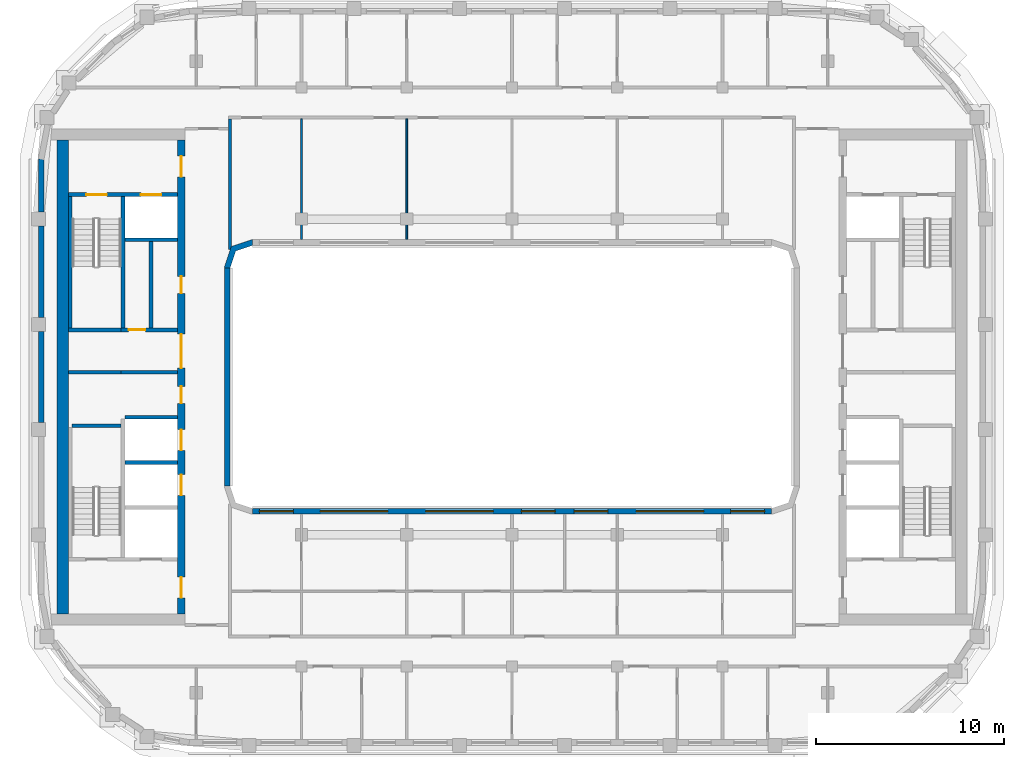
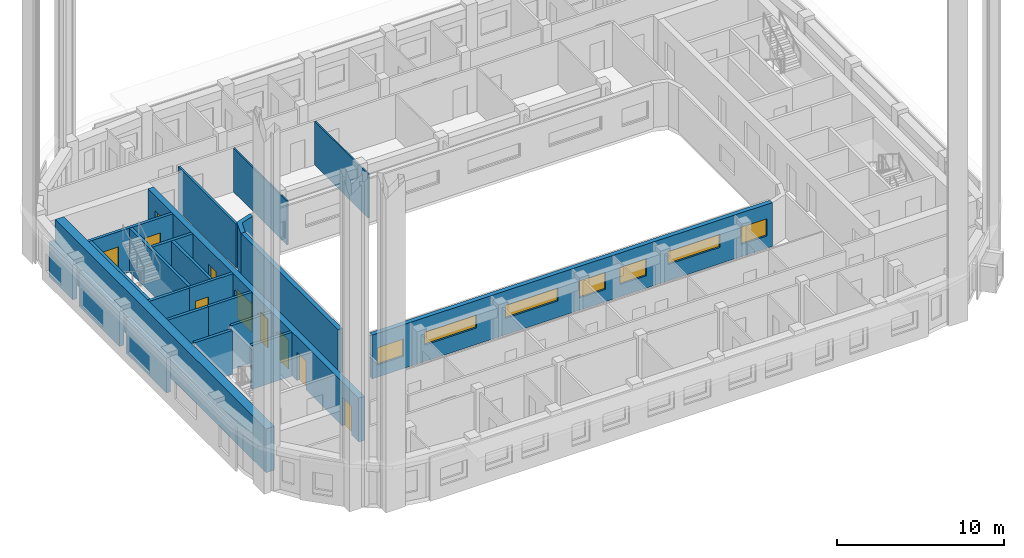
# One storey, part 4 of 15: 23 walls, 10 doors, 7 windows, 17 openings.
"""IFC4 building model written with IfcOpenShell, lengths in metres."""

import ifcopenshell
import ifcopenshell.guid

model = None  # the IFC model being written
_history = None  # IfcOwnerHistory: only IFC2X3 demands one
_inside = {}  # id of a spatial element -> (the spatial element, [elements in it])
_under = {}  # id of a project, library or spatial element -> (it, [spatial elements below it])
_declared = {}  # id of a project -> (the project, [libraries it declares])
_typed = {}  # id of a type object -> (the type object, [elements of that type])
_made_of = {}  # id of a material, layer set ... -> (it, [elements and type objects made of it])


def new_model(schema):
    """Start an empty IFC model of exactly this schema.

    Asked for "IFC4X3", IfcOpenShell would pick the latest addendum, in which some entities
    have other attributes; the version numbers below select the first issue.
    IFC2X3 requires an IfcOwnerHistory on every rooted entity: one is made here for all.
    """
    global model, _history
    if schema == "IFC4X3":
        model = ifcopenshell.file(schema_version=(4, 3, 0, 0))
    else:
        model = ifcopenshell.file(schema=schema)
    _inside.clear()
    _under.clear()
    _declared.clear()
    _typed.clear()
    _made_of.clear()
    _history = None
    if model.schema == "IFC2X3":
        org = make("IfcOrganization", Name="unknown")
        user = make(
            "IfcPersonAndOrganization",
            ThePerson=make("IfcPerson", FamilyName="unknown"),
            TheOrganization=org,
        )
        app = make(
            "IfcApplication",
            ApplicationDeveloper=org,
            Version="unknown",
            ApplicationFullName="unknown",
            ApplicationIdentifier="unknown",
        )
        _history = make(
            "IfcOwnerHistory",
            OwningUser=user,
            OwningApplication=app,
            ChangeAction="ADDED",
            CreationDate=0,
        )
    return model


def make(cls, **values):
    """One entity of the class cls with the attributes given. An attribute that is None is left unset."""
    return model.create_entity(
        cls, **{name: value for name, value in values.items() if value is not None}
    )


def rooted(cls, **values):
    """An entity with a GlobalId (a new one), such as an element, a storey or a relation."""
    return make(cls, GlobalId=ifcopenshell.guid.new(), OwnerHistory=_history, **values)


def si_unit(unit_type, name, prefix=None):
    """IfcSIUnit, for example si_unit("LENGTHUNIT", "METRE", prefix="MILLI")."""
    return make("IfcSIUnit", UnitType=unit_type, Prefix=prefix, Name=name)


def assignment(units):
    """IfcUnitAssignment: the units of a project."""
    return None if units is None else make("IfcUnitAssignment", Units=units)


def point(xyz):
    """IfcCartesianPoint."""
    return None if xyz is None else make("IfcCartesianPoint", Coordinates=xyz)


def direction(xyz):
    """IfcDirection."""
    return None if xyz is None else make("IfcDirection", DirectionRatios=xyz)


def frame(location, z_axis=None, x_axis=None):
    """IfcAxis2Placement3D, a coordinate frame: its origin and axes. An axis left out is left unset."""
    return make(
        "IfcAxis2Placement3D",
        Location=point(location),
        Axis=direction(z_axis),
        RefDirection=direction(x_axis),
    )


def frame_2d(location, x_axis=None):
    """IfcAxis2Placement2D, a coordinate frame in the plane: its origin and x axis."""
    return make(
        "IfcAxis2Placement2D", Location=point(location), RefDirection=direction(x_axis)
    )


def origin():
    """The frame at (0, 0, 0) with its axes left unset."""
    return frame((0.0, 0.0, 0.0))


def place(relative_to, where):
    """IfcLocalPlacement: puts the frame where relative to a parent placement (None: the world)."""
    return make(
        "IfcLocalPlacement", PlacementRelTo=relative_to, RelativePlacement=where
    )


def context(
    kind, dimensions, precision=None, world=None, true_north=None, identifier=None
):
    """IfcGeometricRepresentationContext, for example the 3D "Model" context."""
    return make(
        "IfcGeometricRepresentationContext",
        ContextIdentifier=identifier,
        ContextType=kind,
        CoordinateSpaceDimension=dimensions,
        Precision=precision,
        WorldCoordinateSystem=world,
        TrueNorth=true_north,
    )


def subcontext(parent, identifier, kind, view, scale=None):
    """IfcGeometricRepresentationSubContext, for example "Body" below "Model"."""
    return make(
        "IfcGeometricRepresentationSubContext",
        ContextIdentifier=identifier,
        ContextType=kind,
        ParentContext=parent,
        TargetScale=scale,
        TargetView=view,
    )


def project(units=None, contexts=None):
    """IfcProject with its units and contexts."""
    return rooted(
        "IfcProject",
        Name="project",
        RepresentationContexts=contexts,
        UnitsInContext=assignment(units),
    )


def spatial(cls, under=None, at=None, **own):
    """A site, building, storey or space (cls), placed at a placement, below another one or the project."""
    s = rooted(cls, ObjectPlacement=at, **own)
    if under is not None:
        _under.setdefault(under.id(), (under, []))[1].append(s)
    return s


def polyline(points):
    """IfcPolyline through the points."""
    return make("IfcPolyline", Points=[point(p) for p in points])


def profile(cls, at=None, kind="AREA", **sizes):
    """A parametric profile (cls). Its sizes go by their IFC names, for example OverallWidth=200.0."""
    return make(cls, ProfileType=kind, Position=at, **sizes)


def rectangle(**sizes):
    """IfcRectangleProfileDef."""
    return profile("IfcRectangleProfileDef", **sizes)


def outline(outer, holes=None, kind="AREA"):
    """IfcArbitraryClosedProfileDef: a profile drawn as a closed curve; with holes, ...WithVoids."""
    if holes is None:
        return make("IfcArbitraryClosedProfileDef", ProfileType=kind, OuterCurve=outer)
    return make(
        "IfcArbitraryProfileDefWithVoids",
        ProfileType=kind,
        OuterCurve=outer,
        InnerCurves=holes,
    )


def extrude(swept, where, along, depth):
    """IfcExtrudedAreaSolid: the profile swept, set in the frame where, extruded along a direction by depth."""
    return make(
        "IfcExtrudedAreaSolid",
        SweptArea=swept,
        Position=where,
        ExtrudedDirection=direction(along),
        Depth=depth,
    )


def shape(context_of_items, identifier, shape_type, items):
    """IfcShapeRepresentation: the items that make up one representation, for example the "Body"."""
    return make(
        "IfcShapeRepresentation",
        ContextOfItems=context_of_items,
        RepresentationIdentifier=identifier,
        RepresentationType=shape_type,
        Items=items,
    )


def material(Name=None, Category=None):
    """IfcMaterial."""
    return make("IfcMaterial", Name=Name, Category=Category)


def layer(
    of_material, thickness, ventilated=None, Name=None, Category=None, Priority=None
):
    """IfcMaterialLayer: one layer of a wall or slab, of a material (None: an air gap)."""
    return make(
        "IfcMaterialLayer",
        Material=of_material,
        LayerThickness=thickness,
        IsVentilated=ventilated,
        Name=Name,
        Category=Category,
        Priority=Priority,
    )


def layer_set(layers, Name=None):
    """IfcMaterialLayerSet."""
    return make("IfcMaterialLayerSet", MaterialLayers=layers, LayerSetName=Name)


def made_of(thing, what):
    """Note that an element or type object is made of a material, layer set ...; save() writes the relation."""
    if what is not None:
        _made_of.setdefault(what.id(), (what, []))[1].append(thing)
    return thing


def type_object(cls, material=None, **own):
    """A type object (cls), such as IfcWallType, which elements share."""
    return made_of(rooted(cls, **own), material)


def element(
    cls,
    number,
    at=None,
    inside=None,
    cuts=None,
    type_object=None,
    material=None,
    context=None,
    identifier="Body",
    shape_type=None,
    held_by="IfcProductDefinitionShape",
    body=None,
    shapes=None,
    **own,
):
    """One element of the class cls, such as IfcWall. Its Tag is "e" and its number.

    at: its placement. inside: the storey or other place that contains it. cuts: it is an
    opening in that element (IfcRelVoidsElement). A single representation is given by context,
    identifier, shape_type and body (its items); several are given by shapes. held_by: the class
    of the entity that holds the representations. save() writes the other relations.
    """
    e = rooted(cls, Tag="e%d" % number, ObjectPlacement=at, **own)
    if body is not None:
        shapes = [shape(context, identifier, shape_type, body)]
    if shapes is not None:
        e.Representation = make(held_by, Representations=shapes)
    if inside is not None:
        _inside.setdefault(inside.id(), (inside, []))[1].append(e)
    if cuts is not None:
        rooted(
            "IfcRelVoidsElement", RelatingBuildingElement=cuts, RelatedOpeningElement=e
        )
    if type_object is not None:
        _typed.setdefault(type_object.id(), (type_object, []))[1].append(e)
    return made_of(e, material)


def fill(opening, filler):
    """IfcRelFillsElement: the door or window that sits in an opening."""
    return rooted(
        "IfcRelFillsElement",
        RelatingOpeningElement=opening,
        RelatedBuildingElement=filler,
    )


def aggregate(whole, parts):
    """IfcRelAggregates: a whole, such as a stair, and the parts it consists of."""
    return rooted("IfcRelAggregates", RelatingObject=whole, RelatedObjects=parts)


def save(model, path):
    """Write the relations noted so far, then the file.

    IfcRelAggregates (storeys below a building ...), IfcRelContainedInSpatialStructure (elements
    in a storey), IfcRelDefinesByType, IfcRelAssociatesMaterial and IfcRelDeclares: one each for
    every whole, place, type object, material and project.
    """
    for whole, parts in _under.values():
        aggregate(whole, parts)
    for where, things in _inside.values():
        rooted(
            "IfcRelContainedInSpatialStructure",
            RelatedElements=things,
            RelatingStructure=where,
        )
    for kind, things in _typed.values():
        rooted("IfcRelDefinesByType", RelatedObjects=things, RelatingType=kind)
    for what, things in _made_of.values():
        rooted("IfcRelAssociatesMaterial", RelatedObjects=things, RelatingMaterial=what)
    for by, libraries in _declared.values():
        rooted("IfcRelDeclares", RelatingContext=by, RelatedDefinitions=libraries)
    model.write(path)


model = new_model("IFC4")

# Units and contexts
model_context = context("Model", 3, precision=1e-05, world=origin(), true_north=direction((0.0, 1.0)))
body_context = subcontext(model_context, "Body", "Model", "MODEL_VIEW")
ifc_project = project(units=[si_unit("LENGTHUNIT", "METRE"), si_unit("AREAUNIT", "SQUARE_METRE"), si_unit("VOLUMEUNIT", "CUBIC_METRE"), si_unit("PLANEANGLEUNIT", "RADIAN"), si_unit("MASSUNIT", "GRAM", prefix="KILO")], contexts=[model_context])

# Site, building, storey
site_placement = place(None, origin())
site = spatial("IfcSite", under=ifc_project, at=site_placement, CompositionType="ELEMENT")
building_placement = place(site_placement, origin())
building = spatial("IfcBuilding", under=site, at=building_placement, Name="Kiln Ring Residences", CompositionType="ELEMENT")
storey_placement = place(building_placement, frame((0.0, 0.0, 266.199951171875)))
storey = spatial("IfcBuildingStorey", under=building, at=storey_placement, Name="L69", CompositionType="ELEMENT", Elevation=266.199951171875)

# Walls
ifc_material_1 = material(Name="Gypsum board on steel studs", Category="steel")
ifc_layer_1 = layer(ifc_material_1, 0.199951171875)
ifc_layer_set_1 = layer_set([ifc_layer_1], Name="CORE-PARTITION-200")
wall_type_1 = type_object("IfcWallType", Name="CORE-PARTITION-200", PredefinedType="PARTITIONING", material=ifc_layer_set_1)
wall_1_placement = place(storey_placement, frame((-20.800048828125, 0.25, 0.0), z_axis=(0.0, 0.0, 1.0), x_axis=(-1.0, 0.0, 0.0)))
element("IfcWall", 1, at=wall_1_placement, inside=storey, type_object=wall_type_1, Name="Core partition west L69 1", PredefinedType="PARTITIONING", context=body_context, shape_type="SweptSolid", body=[
    extrude(rectangle(XDim=2.800048828125, YDim=0.199951171875, at=frame_2d((1.39990234375, 0.0))), origin(), (0.0, 0.0, 1.0), 3.199951171875),
])
wall_2_placement = place(storey_placement, frame((-19.199951171875, 2.60009765625, 0.0), z_axis=(0.0, 0.0, 1.0), x_axis=(0.0, 1.0, 0.0)))
element("IfcWall", 2, at=wall_2_placement, inside=storey, type_object=wall_type_1, Name="Core partition west L69 2", PredefinedType="PARTITIONING", context=body_context, shape_type="SweptSolid", body=[
    extrude(rectangle(XDim=4.599853515625, YDim=0.199951171875, at=frame_2d((2.2998046875, 0.0))), origin(), (0.0, 0.0, 1.0), 3.199951171875),
])
ifc_material_2 = material(Name="Gypsum shaft wall system")
ifc_layer_2 = layer(ifc_material_2, 0.199951171875)
ifc_layer_set_2 = layer_set([ifc_layer_2], Name="CORE-SHAFT-WALL-200")
wall_type_2 = type_object("IfcWallType", Name="CORE-SHAFT-WALL-200", PredefinedType="PARTITIONING", material=ifc_layer_set_2)
for number, where, z_axis, x_axis, name in (
    (3, (-17.800048828125, -4.550048828125, 0.0), (0.0, 0.0, 1.0), (-1.0, 0.0, 0.0), "Core partition west L69 4"),
    (4, (-17.800048828125, -2.14990234375, 0.0), (0.0, 0.0, 1.0), (-1.0, 0.0, 0.0), "Core partition west L69 5"),
):
    element("IfcWall", number, at=place(storey_placement, frame(where, z_axis=z_axis, x_axis=x_axis)), inside=storey, type_object=wall_type_2, Name=name, PredefinedType="PARTITIONING", context=body_context, shape_type="SweptSolid", body=[
        extrude(rectangle(XDim=2.800048828125, YDim=0.199951171875, at=frame_2d((1.39990234375, 0.0))), origin(), (0.0, 0.0, 1.0), 3.199951171875),
    ])
wall_3_placement = place(storey_placement, frame((-17.800048828125, 0.25, 0.0), z_axis=(0.0, 0.0, 1.0), x_axis=(-1.0, 0.0, 0.0)))
element("IfcWall", 5, at=wall_3_placement, inside=storey, type_object=wall_type_2, Name="Core partition west L69 6", PredefinedType="PARTITIONING", context=body_context, shape_type="SweptSolid", body=[
    extrude(rectangle(XDim=3.0, YDim=0.199951171875, at=frame_2d((1.5, 0.0))), origin(), (0.0, 0.0, 1.0), 3.199951171875),
])

# Wall, opening, door
wall_4_placement = place(storey_placement, frame((-17.800048828125, 2.5, 0.0), z_axis=(0.0, 0.0, 1.0), x_axis=(-1.0, 0.0, 0.0)))
wall_4 = element("IfcWall", 6, at=wall_4_placement, inside=storey, type_object=wall_type_2, Name="Core partition west L69 7", PredefinedType="PARTITIONING", context=body_context, shape_type="SweptSolid", body=[
    extrude(rectangle(XDim=3.0, YDim=0.199951171875, at=frame_2d((1.5, 0.0))), origin(), (0.0, 0.0, 1.0), 3.199951171875),
])
opening_1_placement = place(wall_4_placement, frame((1.699951171875, 0.0, 0.0)))
opening_1 = element("IfcOpeningElement", 7, at=opening_1_placement, cuts=wall_4, Name="Opening L69-CW06", PredefinedType="OPENING", context=body_context, shape_type="SweptSolid", body=[
    extrude(rectangle(XDim=0.89990234375, YDim=2.10009765625, at=frame_2d((0.449951171875, 1.050048828125))), frame((0.0, 0.10986328125, 0.0), z_axis=(0.0, -1.0, 0.0), x_axis=(1.0, 0.0, 0.0)), (0.0, 0.0, 1.0), 0.219970703125),
])
ifc_material_3 = material(Name="Steel door leaf", Category="steel")
door_type_1 = type_object("IfcDoorType", Name="CORE-DOOR-ROOM", OperationType="SINGLE_SWING_LEFT", PredefinedType="DOOR", material=ifc_material_3)
door_1_placement = place(opening_1_placement, origin())
door_1 = element("IfcDoor", 8, at=door_1_placement, inside=storey, type_object=door_type_1, Name="Service store L69-CW06", OperationType="SINGLE_SWING_LEFT", OverallHeight=2.10009765625, OverallWidth=0.89990234375, PredefinedType="DOOR", context=body_context, shape_type="SweptSolid", body=[
    extrude(rectangle(XDim=0.89990234375, YDim=2.10009765625, at=frame_2d((0.449951171875, 1.050048828125))), frame((0.0, 0.02490234375, 0.0), z_axis=(0.0, -1.0, 0.0), x_axis=(1.0, 0.0, 0.0)), (0.0, 0.0, 1.0), 0.050048828125),
])
fill(opening_1, door_1)

# Walls
wall_5_placement = place(storey_placement, frame((-17.800048828125, 7.300048828125, 0.0), z_axis=(0.0, 0.0, 1.0), x_axis=(-1.0, 0.0, 0.0)))
element("IfcWall", 9, at=wall_5_placement, inside=storey, type_object=wall_type_2, Name="Core partition west L69 8", PredefinedType="PARTITIONING", context=body_context, shape_type="SweptSolid", body=[
    extrude(rectangle(XDim=2.800048828125, YDim=0.199951171875, at=frame_2d((1.39990234375, 0.0))), origin(), (0.0, 0.0, 1.0), 3.199951171875),
])
ifc_material_4 = material(Name="Concrete C40/50", Category="concrete")
ifc_layer_3 = layer(ifc_material_4, 0.199951171875)
ifc_layer_set_3 = layer_set([ifc_layer_3], Name="CORE-WALL-RC200")
wall_type_3 = type_object("IfcWallType", Name="CORE-WALL-RC200", PredefinedType="SHEAR", material=ifc_layer_set_3)
wall_6_placement = place(storey_placement, frame((-20.699951171875, 2.60009765625, 0.0), z_axis=(0.0, 0.0, 1.0), x_axis=(0.0, 1.0, 0.0)))
element("IfcWall", 10, at=wall_6_placement, inside=storey, type_object=wall_type_3, Name="Core wall west L69 1", PredefinedType="SHEAR", context=body_context, shape_type="SweptSolid", body=[
    extrude(rectangle(XDim=7.0, YDim=0.199951171875, at=frame_2d((3.5, 0.0))), origin(), (0.0, 0.0, 1.0), 3.199951171875),
])
wall_7_placement = place(storey_placement, frame((-20.800048828125, 2.5, 0.0), z_axis=(0.0, 0.0, 1.0), x_axis=(-1.0, 0.0, 0.0)))
element("IfcWall", 11, at=wall_7_placement, inside=storey, type_object=wall_type_3, Name="Core wall west L69 3", PredefinedType="SHEAR", context=body_context, shape_type="SweptSolid", body=[
    extrude(rectangle(XDim=2.800048828125, YDim=0.199951171875, at=frame_2d((1.39990234375, 0.0))), origin(), (0.0, 0.0, 1.0), 3.199951171875),
])

# Wall, openings, doors
wall_8_placement = place(storey_placement, frame((-17.800048828125, 9.699951171875, 0.0), z_axis=(0.0, 0.0, 1.0), x_axis=(-1.0, 0.0, 0.0)))
wall_8 = element("IfcWall", 12, at=wall_8_placement, inside=storey, type_object=wall_type_3, Name="Core wall west L69 9", PredefinedType="SHEAR", context=body_context, shape_type="SweptSolid", body=[
    extrude(rectangle(XDim=5.800048828125, YDim=0.199951171875, at=frame_2d((2.89990234375, 0.0))), origin(), (0.0, 0.0, 1.0), 3.199951171875),
])
opening_2_placement = place(wall_8_placement, frame((0.85009765625, 0.0, 0.0)))
opening_2 = element("IfcOpeningElement", 13, at=opening_2_placement, cuts=wall_8, Name="Opening L69-CW07", PredefinedType="OPENING", context=body_context, shape_type="SweptSolid", body=[
    extrude(rectangle(XDim=1.10009765625, YDim=2.10009765625, at=frame_2d((0.550048828125, 1.050048828125))), frame((0.0, 0.10986328125, 0.0), z_axis=(0.0, -1.0, 0.0), x_axis=(1.0, 0.0, 0.0)), (0.0, 0.0, 1.0), 0.219970703125),
])
opening_3_placement = place(wall_8_placement, frame((3.75, 0.0, 0.0)))
opening_3 = element("IfcOpeningElement", 14, at=opening_3_placement, cuts=wall_8, Name="Opening L69-CW10", PredefinedType="OPENING", context=body_context, shape_type="SweptSolid", body=[
    extrude(rectangle(XDim=1.10009765625, YDim=2.10009765625, at=frame_2d((0.550048828125, 1.050048828125))), frame((0.0, 0.10986328125, 0.0), z_axis=(0.0, -1.0, 0.0), x_axis=(1.0, 0.0, 0.0)), (0.0, 0.0, 1.0), 0.219970703125),
])
ifc_material_5 = material(Name="Steel door leaf", Category="steel")
door_type_2 = type_object("IfcDoorType", Name="CORE-DOOR-LD", OperationType="DOUBLE_DOOR_SLIDING", PredefinedType="DOOR", material=ifc_material_5)
door_2_placement = place(opening_2_placement, origin())
door_2 = element("IfcDoor", 15, at=door_2_placement, inside=storey, type_object=door_type_2, Name="LD W-FF L69-CW07", OperationType="DOUBLE_DOOR_SLIDING", OverallHeight=2.10009765625, OverallWidth=1.10009765625, PredefinedType="DOOR", context=body_context, shape_type="SweptSolid", body=[
    extrude(rectangle(XDim=1.10009765625, YDim=2.10009765625, at=frame_2d((0.550048828125, 1.050048828125))), frame((0.0, 0.02490234375, 0.0), z_axis=(0.0, -1.0, 0.0), x_axis=(1.0, 0.0, 0.0)), (0.0, 0.0, 1.0), 0.050048828125),
])
fill(opening_2, door_2)
ifc_material_6 = material(Name="Steel door leaf", Category="steel")
door_type_3 = type_object("IfcDoorType", Name="CORE-DOOR-STAIR", OperationType="SINGLE_SWING_LEFT", PredefinedType="DOOR", material=ifc_material_6)
door_3_placement = place(opening_3_placement, origin())
door_3 = element("IfcDoor", 16, at=door_3_placement, inside=storey, type_object=door_type_3, Name="Stair W-STN L69-CW10", OperationType="SINGLE_SWING_RIGHT", OverallHeight=2.10009765625, OverallWidth=1.10009765625, PredefinedType="DOOR", context=body_context, shape_type="SweptSolid", body=[
    extrude(rectangle(XDim=1.10009765625, YDim=2.10009765625, at=frame_2d((0.550048828125, 1.050048828125))), frame((0.0, 0.02490234375, 0.0), z_axis=(0.0, -1.0, 0.0), x_axis=(1.0, 0.0, 0.0)), (0.0, 0.0, 1.0), 0.050048828125),
])
fill(opening_3, door_3)

# Walls
wall_9_placement = place(storey_placement, frame((-23.5, 2.60009765625, 0.0), z_axis=(0.0, 0.0, 1.0), x_axis=(0.0, 1.0, 0.0)))
element("IfcWall", 17, at=wall_9_placement, inside=storey, type_object=wall_type_3, Name="Core wall west L69 10", PredefinedType="SHEAR", context=body_context, shape_type="SweptSolid", body=[
    extrude(rectangle(XDim=7.0, YDim=0.199951171875, at=frame_2d((3.5, 0.0))), origin(), (0.0, 0.0, 1.0), 3.199951171875),
])
wall_10_placement = place(storey_placement, frame((-20.800048828125, -2.60009765625, 0.0), z_axis=(0.0, 0.0, 1.0), x_axis=(-1.0, 0.0, 0.0)))
element("IfcWall", 18, at=wall_10_placement, inside=storey, type_object=wall_type_3, Name="Core wall west L69 12", PredefinedType="SHEAR", context=body_context, shape_type="SweptSolid", body=[
    extrude(rectangle(XDim=2.599853515625, YDim=0.199951171875, at=frame_2d((1.2998046875, 0.0))), origin(), (0.0, 0.0, 1.0), 3.199951171875),
])

# Wall, openings, doors
ifc_material_7 = material(Name="Concrete C60/75", Category="concrete")
ifc_layer_4 = layer(ifc_material_7, 0.39990234375)
ifc_layer_set_4 = layer_set([ifc_layer_4], Name="CORE-WALL-RC400")
wall_type_4 = type_object("IfcWallType", Name="CORE-WALL-RC400", PredefinedType="SHEAR", material=ifc_layer_set_4)
wall_11_placement = place(storey_placement, frame((-17.60009765625, -12.60009765625, 0.0), z_axis=(0.0, 0.0, 1.0), x_axis=(0.0, 1.0, 0.0)))
wall_11 = element("IfcWall", 19, at=wall_11_placement, inside=storey, type_object=wall_type_4, Name="Core wall west L69 6", PredefinedType="SHEAR", context=body_context, shape_type="SweptSolid", body=[
    extrude(rectangle(XDim=25.2001953125, YDim=0.39990234375, at=frame_2d((12.60009765625, 0.0))), origin(), (0.0, 0.0, 1.0), 3.199951171875),
])
opening_4_placement = place(wall_11_placement, frame((6.300048828125, 0.0, 0.0)))
opening_4 = element("IfcOpeningElement", 20, at=opening_4_placement, cuts=wall_11, Name="Opening L69-CW02", PredefinedType="OPENING", context=body_context, shape_type="SweptSolid", body=[
    extrude(rectangle(XDim=1.10009765625, YDim=2.10009765625, at=frame_2d((0.550048828125, 1.050048828125))), frame((0.0, 0.2099609375, 0.0), z_axis=(0.0, -1.0, 0.0), x_axis=(1.0, 0.0, 0.0)), (0.0, 0.0, 1.0), 0.419921875),
])
opening_5_placement = place(wall_11_placement, frame((8.699951171875, 0.0, 0.0)))
opening_5 = element("IfcOpeningElement", 21, at=opening_5_placement, cuts=wall_11, Name="Opening L69-CW03", PredefinedType="OPENING", context=body_context, shape_type="SweptSolid", body=[
    extrude(rectangle(XDim=1.10009765625, YDim=2.10009765625, at=frame_2d((0.550048828125, 1.050048828125))), frame((0.0, 0.2099609375, 0.0), z_axis=(0.0, -1.0, 0.0), x_axis=(1.0, 0.0, 0.0)), (0.0, 0.0, 1.0), 0.419921875),
])
opening_6_placement = place(wall_11_placement, frame((11.199951171875, 0.0, 0.0)))
opening_6 = element("IfcOpeningElement", 22, at=opening_6_placement, cuts=wall_11, Name="Opening L69-CW04", PredefinedType="OPENING", context=body_context, shape_type="SweptSolid", body=[
    extrude(rectangle(XDim=0.89990234375, YDim=2.10009765625, at=frame_2d((0.449951171875, 1.050048828125))), frame((0.0, 0.2099609375, 0.0), z_axis=(0.0, -1.0, 0.0), x_axis=(1.0, 0.0, 0.0)), (0.0, 0.0, 1.0), 0.419921875),
])
opening_7_placement = place(wall_11_placement, frame((17.050048828125, 0.0, 0.0)))
opening_7 = element("IfcOpeningElement", 23, at=opening_7_placement, cuts=wall_11, Name="Opening L69-CW05", PredefinedType="OPENING", context=body_context, shape_type="SweptSolid", body=[
    extrude(rectangle(XDim=0.89990234375, YDim=2.10009765625, at=frame_2d((0.449951171875, 1.050048828125))), frame((0.0, 0.2099609375, 0.0), z_axis=(0.0, -1.0, 0.0), x_axis=(1.0, 0.0, 0.0)), (0.0, 0.0, 1.0), 0.419921875),
])
opening_8_placement = place(wall_11_placement, frame((23.25, 0.0, 0.0)))
opening_8 = element("IfcOpeningElement", 24, at=opening_8_placement, cuts=wall_11, Name="Opening L69-CW08", PredefinedType="OPENING", context=body_context, shape_type="SweptSolid", body=[
    extrude(rectangle(XDim=1.10009765625, YDim=2.10009765625, at=frame_2d((0.550048828125, 1.050048828125))), frame((0.0, 0.2099609375, 0.0), z_axis=(0.0, -1.0, 0.0), x_axis=(1.0, 0.0, 0.0)), (0.0, 0.0, 1.0), 0.419921875),
])
opening_9_placement = place(wall_11_placement, frame((0.85009765625, 0.0, 0.0)))
opening_9 = element("IfcOpeningElement", 25, at=opening_9_placement, cuts=wall_11, Name="Opening L69-CW09", PredefinedType="OPENING", context=body_context, shape_type="SweptSolid", body=[
    extrude(rectangle(XDim=1.10009765625, YDim=2.10009765625, at=frame_2d((0.550048828125, 1.050048828125))), frame((0.0, 0.2099609375, 0.0), z_axis=(0.0, -1.0, 0.0), x_axis=(1.0, 0.0, 0.0)), (0.0, 0.0, 1.0), 0.419921875),
])
opening_10_placement = place(wall_11_placement, frame((13.074951171875, 0.0, 0.0)))
opening_10 = element("IfcOpeningElement", 26, at=opening_10_placement, cuts=wall_11, Name="Opening L69-CW12", PredefinedType="OPENING", context=body_context, shape_type="SweptSolid", body=[
    extrude(rectangle(XDim=1.800048828125, YDim=2.10009765625, at=frame_2d((0.89990234375, 1.050048828125))), frame((0.0, 0.2099609375, 0.0), z_axis=(0.0, -1.0, 0.0), x_axis=(1.0, 0.0, 0.0)), (0.0, 0.0, 1.0), 0.419921875),
])
door_4_placement = place(opening_4_placement, origin())
door_4 = element("IfcDoor", 27, at=door_4_placement, inside=storey, type_object=door_type_2, Name="LD W-H1 L69-CW02", OperationType="DOUBLE_DOOR_SLIDING", OverallHeight=2.10009765625, OverallWidth=1.10009765625, PredefinedType="DOOR", context=body_context, shape_type="SweptSolid", body=[
    extrude(rectangle(XDim=1.10009765625, YDim=2.10009765625, at=frame_2d((0.550048828125, 1.050048828125))), frame((0.0, 0.02490234375, 0.0), z_axis=(0.0, -1.0, 0.0), x_axis=(1.0, 0.0, 0.0)), (0.0, 0.0, 1.0), 0.050048828125),
])
fill(opening_4, door_4)
door_5_placement = place(opening_5_placement, origin())
door_5 = element("IfcDoor", 28, at=door_5_placement, inside=storey, type_object=door_type_2, Name="LD W-H2 L69-CW03", OperationType="DOUBLE_DOOR_SLIDING", OverallHeight=2.10009765625, OverallWidth=1.10009765625, PredefinedType="DOOR", context=body_context, shape_type="SweptSolid", body=[
    extrude(rectangle(XDim=1.10009765625, YDim=2.10009765625, at=frame_2d((0.550048828125, 1.050048828125))), frame((0.0, 0.02490234375, 0.0), z_axis=(0.0, -1.0, 0.0), x_axis=(1.0, 0.0, 0.0)), (0.0, 0.0, 1.0), 0.050048828125),
])
fill(opening_5, door_5)
ifc_material_8 = material(Name="Steel door leaf", Category="steel")
door_type_4 = type_object("IfcDoorType", Name="CORE-DOOR-LOBBY", OperationType="SINGLE_SWING_LEFT", PredefinedType="DOOR", material=ifc_material_8)
door_6_placement = place(opening_8_placement, origin())
door_6 = element("IfcDoor", 29, at=door_6_placement, inside=storey, type_object=door_type_4, Name="FFL L69-CW08", OperationType="SINGLE_SWING_LEFT", OverallHeight=2.10009765625, OverallWidth=1.10009765625, PredefinedType="DOOR", context=body_context, shape_type="SweptSolid", body=[
    extrude(rectangle(XDim=1.10009765625, YDim=2.10009765625, at=frame_2d((0.550048828125, 1.050048828125))), frame((0.0, 0.02490234375, 0.0), z_axis=(0.0, -1.0, 0.0), x_axis=(1.0, 0.0, 0.0)), (0.0, 0.0, 1.0), 0.050048828125),
])
fill(opening_8, door_6)
door_7_placement = place(opening_9_placement, origin())
door_7 = element("IfcDoor", 30, at=door_7_placement, inside=storey, type_object=door_type_4, Name="SVL L69-CW09", OperationType="SINGLE_SWING_RIGHT", OverallHeight=2.10009765625, OverallWidth=1.10009765625, PredefinedType="DOOR", context=body_context, shape_type="SweptSolid", body=[
    extrude(rectangle(XDim=1.10009765625, YDim=2.10009765625, at=frame_2d((0.550048828125, 1.050048828125))), frame((0.0, 0.02490234375, 0.0), z_axis=(0.0, -1.0, 0.0), x_axis=(1.0, 0.0, 0.0)), (0.0, 0.0, 1.0), 0.050048828125),
])
fill(opening_9, door_7)
ifc_material_9 = material(Name="Steel door leaf", Category="steel")
door_type_5 = type_object("IfcDoorType", Name="CORE-DOOR-PASS", OperationType="DOUBLE_DOOR_SINGLE_SWING", PredefinedType="DOOR", material=ifc_material_9)
door_8_placement = place(opening_10_placement, origin())
door_8 = element("IfcDoor", 31, at=door_8_placement, inside=storey, type_object=door_type_5, Name="Core passage L69-CW12", OperationType="DOUBLE_DOOR_SINGLE_SWING", OverallHeight=2.10009765625, OverallWidth=1.800048828125, PredefinedType="DOOR", context=body_context, shape_type="SweptSolid", body=[
    extrude(rectangle(XDim=1.800048828125, YDim=2.10009765625, at=frame_2d((0.89990234375, 1.050048828125))), frame((0.0, 0.02490234375, 0.0), z_axis=(0.0, -1.0, 0.0), x_axis=(1.0, 0.0, 0.0)), (0.0, 0.0, 1.0), 0.050048828125),
])
fill(opening_10, door_8)
door_9_placement = place(opening_6_placement, origin())
door_9 = element("IfcDoor", 32, at=door_9_placement, inside=storey, type_object=door_type_1, Name="Recycling store L69-CW04", OperationType="SINGLE_SWING_RIGHT", OverallHeight=2.10009765625, OverallWidth=0.89990234375, PredefinedType="DOOR", context=body_context, shape_type="SweptSolid", body=[
    extrude(rectangle(XDim=0.89990234375, YDim=2.10009765625, at=frame_2d((0.449951171875, 1.050048828125))), frame((0.0, 0.02490234375, 0.0), z_axis=(0.0, -1.0, 0.0), x_axis=(1.0, 0.0, 0.0)), (0.0, 0.0, 1.0), 0.050048828125),
])
fill(opening_6, door_9)
door_10_placement = place(opening_7_placement, origin())
door_10 = element("IfcDoor", 33, at=door_10_placement, inside=storey, type_object=door_type_1, Name="Linen store L69-CW05", OperationType="SINGLE_SWING_LEFT", OverallHeight=2.10009765625, OverallWidth=0.89990234375, PredefinedType="DOOR", context=body_context, shape_type="SweptSolid", body=[
    extrude(rectangle(XDim=0.89990234375, YDim=2.10009765625, at=frame_2d((0.449951171875, 1.050048828125))), frame((0.0, 0.02490234375, 0.0), z_axis=(0.0, -1.0, 0.0), x_axis=(1.0, 0.0, 0.0)), (0.0, 0.0, 1.0), 0.050048828125),
])
fill(opening_7, door_10)

# Walls
ifc_material_10 = material(Name="Concrete C60/75", Category="concrete")
ifc_layer_5 = layer(ifc_material_10, 0.60009765625)
ifc_layer_set_5 = layer_set([ifc_layer_5], Name="CORE-WALL-RC600")
wall_type_5 = type_object("IfcWallType", Name="CORE-WALL-RC600", PredefinedType="SHEAR", material=ifc_layer_set_5)
wall_12_placement = place(storey_placement, frame((-23.89990234375, -12.60009765625, 0.0), z_axis=(0.0, 0.0, 1.0), x_axis=(0.0, 1.0, 0.0)))
element("IfcWall", 34, at=wall_12_placement, inside=storey, type_object=wall_type_5, Name="Core wall west L69 7", PredefinedType="SHEAR", context=body_context, shape_type="SweptSolid", body=[
    extrude(rectangle(XDim=25.2001953125, YDim=0.60009765625, at=frame_2d((12.60009765625, 0.0))), origin(), (0.0, 0.0, 1.0), 3.199951171875),
])
ifc_material_11 = material(Name="Brick masonry, dark clay brick", Category="masonry")
ifc_layer_6 = layer(ifc_material_11, 0.300048828125)
ifc_layer_set_6 = layer_set([ifc_layer_6], Name="EW-300 BRICK WALL")
wall_type_6 = type_object("IfcWallType", Name="EW-300 BRICK WALL", PredefinedType="SOLIDWALL", material=ifc_layer_set_6)
wall_13_placement = place(storey_placement, frame((-25.050048828125, 11.60009765625, 0.0), z_axis=(0.0, 0.0, 1.0), x_axis=(0.0, -1.0, 0.0)))
element("IfcWall", 35, at=wall_13_placement, inside=storey, type_object=wall_type_6, Name="Facade wall L69 38", PredefinedType="SOLIDWALL", context=body_context, shape_type="SweptSolid", body=[
    extrude(rectangle(XDim=2.8251953125, YDim=0.300048828125, at=frame_2d((1.41259765625, 0.0))), origin(), (0.0, 0.0, 1.0), 2.550048828125),
])
wall_14_placement = place(storey_placement, frame((-25.050048828125, 8.02490234375, 0.0), z_axis=(0.0, 0.0, 1.0), x_axis=(0.0, -1.0, 0.0)))
element("IfcWall", 36, at=wall_14_placement, inside=storey, type_object=wall_type_6, Name="Facade wall L69 39", PredefinedType="SOLIDWALL", context=body_context, shape_type="SweptSolid", body=[
    extrude(rectangle(XDim=4.849853515625, YDim=0.300048828125, at=frame_2d((2.4248046875, 0.0))), origin(), (0.0, 0.0, 1.0), 2.550048828125),
])
wall_15_placement = place(storey_placement, frame((-25.050048828125, 2.425048828125, 0.0), z_axis=(0.0, 0.0, 1.0), x_axis=(0.0, -1.0, 0.0)))
element("IfcWall", 37, at=wall_15_placement, inside=storey, type_object=wall_type_6, Name="Facade wall L69 40", PredefinedType="SOLIDWALL", context=body_context, shape_type="SweptSolid", body=[
    extrude(rectangle(XDim=4.85009765625, YDim=0.300048828125, at=frame_2d((2.425048828125, 0.0))), origin(), (0.0, 0.0, 1.0), 2.550048828125),
])
wall_16_placement = place(storey_placement, frame((-15.14990234375, -5.800048828125, 0.0), z_axis=(0.0, 0.0, 1.0), x_axis=(0.0, 1.0, 0.0)))
element("IfcWall", 38, at=wall_16_placement, inside=storey, type_object=wall_type_6, Name="Facade wall L69 45", PredefinedType="SOLIDWALL", context=body_context, shape_type="SweptSolid", body=[
    extrude(rectangle(XDim=11.60009765625, YDim=0.300048828125, at=frame_2d((5.800048828125, 0.0))), origin(), (0.0, 0.0, 1.0), 3.199951171875),
])

# Wall, openings, windows
wall_17_placement = place(storey_placement, frame((13.800048828125, -7.14990234375, 0.0), z_axis=(0.0, 0.0, 1.0), x_axis=(-1.0, 0.0, 0.0)))
wall_17 = element("IfcWall", 39, at=wall_17_placement, inside=storey, type_object=wall_type_6, Name="Facade wall L69 48", PredefinedType="SOLIDWALL", context=body_context, shape_type="SweptSolid", body=[
    extrude(rectangle(XDim=27.60009765625, YDim=0.300048828125, at=frame_2d((13.800048828125, 0.0))), origin(), (0.0, 0.0, 1.0), 3.199951171875),
])
opening_11_placement = place(wall_17_placement, frame((0.362548828125, 0.0, 0.89990234375)))
opening_11 = element("IfcOpeningElement", 40, at=opening_11_placement, cuts=wall_17, Name="Opening W2", PredefinedType="OPENING", context=body_context, shape_type="SweptSolid", body=[
    extrude(rectangle(XDim=1.800048828125, YDim=1.25, at=frame_2d((0.89990234375, 0.625))), frame((0.0, 0.159912109375, 0.0), z_axis=(0.0, -1.0, 0.0), x_axis=(1.0, 0.0, 0.0)), (0.0, 0.0, 1.0), 0.320068359375),
])
opening_12_placement = place(wall_17_placement, frame((3.60009765625, 0.0, 1.199951171875)))
opening_12 = element("IfcOpeningElement", 41, at=opening_12_placement, cuts=wall_17, Name="Opening W4", PredefinedType="OPENING", context=body_context, shape_type="SweptSolid", body=[
    extrude(rectangle(XDim=3.60009765625, YDim=0.949951171875, at=frame_2d((1.800048828125, 0.47509765625))), frame((0.0, 0.159912109375, 0.0), z_axis=(0.0, -1.0, 0.0), x_axis=(1.0, 0.0, 0.0)), (0.0, 0.0, 1.0), 0.320068359375),
])
opening_13_placement = place(wall_17_placement, frame((8.699951171875, 0.0, 0.89990234375)))
opening_13 = element("IfcOpeningElement", 42, at=opening_13_placement, cuts=wall_17, Name="Opening W2", PredefinedType="OPENING", context=body_context, shape_type="SweptSolid", body=[
    extrude(rectangle(XDim=1.800048828125, YDim=1.25, at=frame_2d((0.89990234375, 0.625))), frame((0.0, 0.159912109375, 0.0), z_axis=(0.0, -1.0, 0.0), x_axis=(1.0, 0.0, 0.0)), (0.0, 0.0, 1.0), 0.320068359375),
])
opening_14_placement = place(wall_17_placement, frame((11.5, 0.0, 0.89990234375)))
opening_14 = element("IfcOpeningElement", 43, at=opening_14_placement, cuts=wall_17, Name="Opening W2", PredefinedType="OPENING", context=body_context, shape_type="SweptSolid", body=[
    extrude(rectangle(XDim=1.800048828125, YDim=1.25, at=frame_2d((0.89990234375, 0.625))), frame((0.0, 0.159912109375, 0.0), z_axis=(0.0, -1.0, 0.0), x_axis=(1.0, 0.0, 0.0)), (0.0, 0.0, 1.0), 0.320068359375),
])
opening_15_placement = place(wall_17_placement, frame((14.800048828125, 0.0, 1.199951171875)))
opening_15 = element("IfcOpeningElement", 44, at=opening_15_placement, cuts=wall_17, Name="Opening W4", PredefinedType="OPENING", context=body_context, shape_type="SweptSolid", body=[
    extrude(rectangle(XDim=3.60009765625, YDim=0.949951171875, at=frame_2d((1.800048828125, 0.47509765625))), frame((0.0, 0.159912109375, 0.0), z_axis=(0.0, -1.0, 0.0), x_axis=(1.0, 0.0, 0.0)), (0.0, 0.0, 1.0), 0.320068359375),
])
opening_16_placement = place(wall_17_placement, frame((20.39990234375, 0.0, 1.199951171875)))
opening_16 = element("IfcOpeningElement", 45, at=opening_16_placement, cuts=wall_17, Name="Opening W4", PredefinedType="OPENING", context=body_context, shape_type="SweptSolid", body=[
    extrude(rectangle(XDim=3.60009765625, YDim=0.949951171875, at=frame_2d((1.800048828125, 0.47509765625))), frame((0.0, 0.159912109375, 0.0), z_axis=(0.0, -1.0, 0.0), x_axis=(1.0, 0.0, 0.0)), (0.0, 0.0, 1.0), 0.320068359375),
])
opening_17_placement = place(wall_17_placement, frame((25.4375, 0.0, 0.89990234375)))
opening_17 = element("IfcOpeningElement", 46, at=opening_17_placement, cuts=wall_17, Name="Opening W2", PredefinedType="OPENING", context=body_context, shape_type="SweptSolid", body=[
    extrude(rectangle(XDim=1.800048828125, YDim=1.25, at=frame_2d((0.89990234375, 0.625))), frame((0.0, 0.159912109375, 0.0), z_axis=(0.0, -1.0, 0.0), x_axis=(1.0, 0.0, 0.0)), (0.0, 0.0, 1.0), 0.320068359375),
])
ifc_material_12 = material(Name="Aluminium frame with double glazing", Category="aluminium")
window_type_1 = type_object("IfcWindowType", Name="WINDOW 1800 x 1250", PartitioningType="SINGLE_PANEL", PredefinedType="WINDOW", material=ifc_material_12)
window_1_placement = place(opening_11_placement, origin())
window_1 = element("IfcWindow", 47, at=window_1_placement, inside=storey, type_object=window_type_1, Name="Window L69 43", OverallHeight=1.25, OverallWidth=1.800048828125, PartitioningType="SINGLE_PANEL", PredefinedType="WINDOW", context=body_context, shape_type="SweptSolid", body=[
    extrude(rectangle(XDim=1.800048828125, YDim=1.25, at=frame_2d((0.89990234375, 0.625))), frame((0.0, 0.030029296875, 0.0), z_axis=(0.0, -1.0, 0.0), x_axis=(1.0, 0.0, 0.0)), (0.0, 0.0, 1.0), 0.06005859375),
])
fill(opening_11, window_1)
window_2_placement = place(opening_13_placement, origin())
window_2 = element("IfcWindow", 48, at=window_2_placement, inside=storey, type_object=window_type_1, Name="Window L69 45", OverallHeight=1.25, OverallWidth=1.800048828125, PartitioningType="SINGLE_PANEL", PredefinedType="WINDOW", context=body_context, shape_type="SweptSolid", body=[
    extrude(rectangle(XDim=1.800048828125, YDim=1.25, at=frame_2d((0.89990234375, 0.625))), frame((0.0, 0.030029296875, 0.0), z_axis=(0.0, -1.0, 0.0), x_axis=(1.0, 0.0, 0.0)), (0.0, 0.0, 1.0), 0.06005859375),
])
fill(opening_13, window_2)
window_3_placement = place(opening_14_placement, origin())
window_3 = element("IfcWindow", 49, at=window_3_placement, inside=storey, type_object=window_type_1, Name="Window L69 46", OverallHeight=1.25, OverallWidth=1.800048828125, PartitioningType="SINGLE_PANEL", PredefinedType="WINDOW", context=body_context, shape_type="SweptSolid", body=[
    extrude(rectangle(XDim=1.800048828125, YDim=1.25, at=frame_2d((0.89990234375, 0.625))), frame((0.0, 0.030029296875, 0.0), z_axis=(0.0, -1.0, 0.0), x_axis=(1.0, 0.0, 0.0)), (0.0, 0.0, 1.0), 0.06005859375),
])
fill(opening_14, window_3)
window_4_placement = place(opening_17_placement, origin())
window_4 = element("IfcWindow", 50, at=window_4_placement, inside=storey, type_object=window_type_1, Name="Window L69 49", OverallHeight=1.25, OverallWidth=1.800048828125, PartitioningType="SINGLE_PANEL", PredefinedType="WINDOW", context=body_context, shape_type="SweptSolid", body=[
    extrude(rectangle(XDim=1.800048828125, YDim=1.25, at=frame_2d((0.89990234375, 0.625))), frame((0.0, 0.030029296875, 0.0), z_axis=(0.0, -1.0, 0.0), x_axis=(1.0, 0.0, 0.0)), (0.0, 0.0, 1.0), 0.06005859375),
])
fill(opening_17, window_4)
ifc_material_13 = material(Name="Aluminium frame with double glazing", Category="aluminium")
window_type_2 = type_object("IfcWindowType", Name="WINDOW 3600 x 950", PartitioningType="SINGLE_PANEL", PredefinedType="WINDOW", material=ifc_material_13)
window_5_placement = place(opening_12_placement, origin())
window_5 = element("IfcWindow", 51, at=window_5_placement, inside=storey, type_object=window_type_2, Name="Window L69 44", OverallHeight=0.949951171875, OverallWidth=3.60009765625, PartitioningType="SINGLE_PANEL", PredefinedType="WINDOW", context=body_context, shape_type="SweptSolid", body=[
    extrude(rectangle(XDim=3.60009765625, YDim=0.949951171875, at=frame_2d((1.800048828125, 0.47509765625))), frame((0.0, 0.030029296875, 0.0), z_axis=(0.0, -1.0, 0.0), x_axis=(1.0, 0.0, 0.0)), (0.0, 0.0, 1.0), 0.06005859375),
])
fill(opening_12, window_5)
window_6_placement = place(opening_15_placement, origin())
window_6 = element("IfcWindow", 52, at=window_6_placement, inside=storey, type_object=window_type_2, Name="Window L69 47", OverallHeight=0.949951171875, OverallWidth=3.60009765625, PartitioningType="SINGLE_PANEL", PredefinedType="WINDOW", context=body_context, shape_type="SweptSolid", body=[
    extrude(rectangle(XDim=3.60009765625, YDim=0.949951171875, at=frame_2d((1.800048828125, 0.47509765625))), frame((0.0, 0.030029296875, 0.0), z_axis=(0.0, -1.0, 0.0), x_axis=(1.0, 0.0, 0.0)), (0.0, 0.0, 1.0), 0.06005859375),
])
fill(opening_15, window_6)
window_7_placement = place(opening_16_placement, origin())
window_7 = element("IfcWindow", 53, at=window_7_placement, inside=storey, type_object=window_type_2, Name="Window L69 48", OverallHeight=0.949951171875, OverallWidth=3.60009765625, PartitioningType="SINGLE_PANEL", PredefinedType="WINDOW", context=body_context, shape_type="SweptSolid", body=[
    extrude(rectangle(XDim=3.60009765625, YDim=0.949951171875, at=frame_2d((1.800048828125, 0.47509765625))), frame((0.0, 0.030029296875, 0.0), z_axis=(0.0, -1.0, 0.0), x_axis=(1.0, 0.0, 0.0)), (0.0, 0.0, 1.0), 0.06005859375),
])
fill(opening_16, window_7)

# Walls
wall_18_placement = place(storey_placement, origin())
element("IfcWall", 54, at=wall_18_placement, inside=storey, type_object=wall_type_6, Name="Corner wall L69 1", PredefinedType="SOLIDWALL", context=body_context, shape_type="SweptSolid", body=[
    extrude(outline(polyline([(-13.8486328125, 7.300048828125), (-14.937255859375, 6.937255859375), (-15.300048828125, 5.8486328125), (-15.300048828125, 5.800048828125), (-15.0, 5.800048828125), (-14.699951171875, 6.699951171875), (-13.800048828125, 7.0), (-13.800048828125, 7.300048828125), (-13.8486328125, 7.300048828125)])), origin(), (0.0, 0.0, 1.0), 3.199951171875),
])
ifc_material_14 = material(Name="Gypsum board on steel studs", Category="steel")
ifc_layer_7 = layer(ifc_material_14, 0.10009765625)
ifc_layer_set_7 = layer_set([ifc_layer_7], Name="PARTITION-100")
wall_type_7 = type_object("IfcWallType", Name="PARTITION-100", PredefinedType="PARTITIONING", material=ifc_layer_set_7)
for number, where, z_axis, x_axis, name in (
    (55, (-11.199951171875, 7.320068359375, 0.0), (0.0, 0.0, 1.0), (0.0, 1.0, 0.0), "Partition 017"),
    (56, (-5.60009765625, 7.320068359375, 0.0), (0.0, 0.0, 1.0), (0.0, 1.0, 0.0), "Partition 021"),
):
    element("IfcWall", number, at=place(storey_placement, frame(where, z_axis=z_axis, x_axis=x_axis)), inside=storey, type_object=wall_type_7, Name=name, PredefinedType="PARTITIONING", context=body_context, shape_type="SweptSolid", body=[
        extrude(rectangle(XDim=6.405029296875, YDim=0.10009765625, at=frame_2d((3.20263671875, 0.0))), origin(), (0.0, 0.0, 1.0), 3.199951171875),
    ])
ifc_material_15 = material(Name="Brick masonry partition", Category="masonry")
ifc_layer_8 = layer(ifc_material_15, 0.14990234375)
ifc_layer_set_8 = layer_set([ifc_layer_8], Name="PARTITION-150-ei60")
wall_type_8 = type_object("IfcWallType", Name="PARTITION-150-ei60", PredefinedType="PARTITIONING", material=ifc_layer_set_8)
wall_19_placement = place(storey_placement, frame((-15.0, 6.768798828125, 0.0), z_axis=(0.0, 0.0, 1.0), x_axis=(0.0, 1.0, 0.0)))
element("IfcWall", 57, at=wall_19_placement, inside=storey, type_object=wall_type_8, Name="Partition 012", PredefinedType="PARTITIONING", context=body_context, shape_type="SweptSolid", body=[
    extrude(rectangle(XDim=6.956298828125, YDim=0.14990234375, at=frame_2d((3.47802734375, 0.0))), origin(), (0.0, 0.0, 1.0), 3.199951171875),
])

save(model, "model.ifc")
